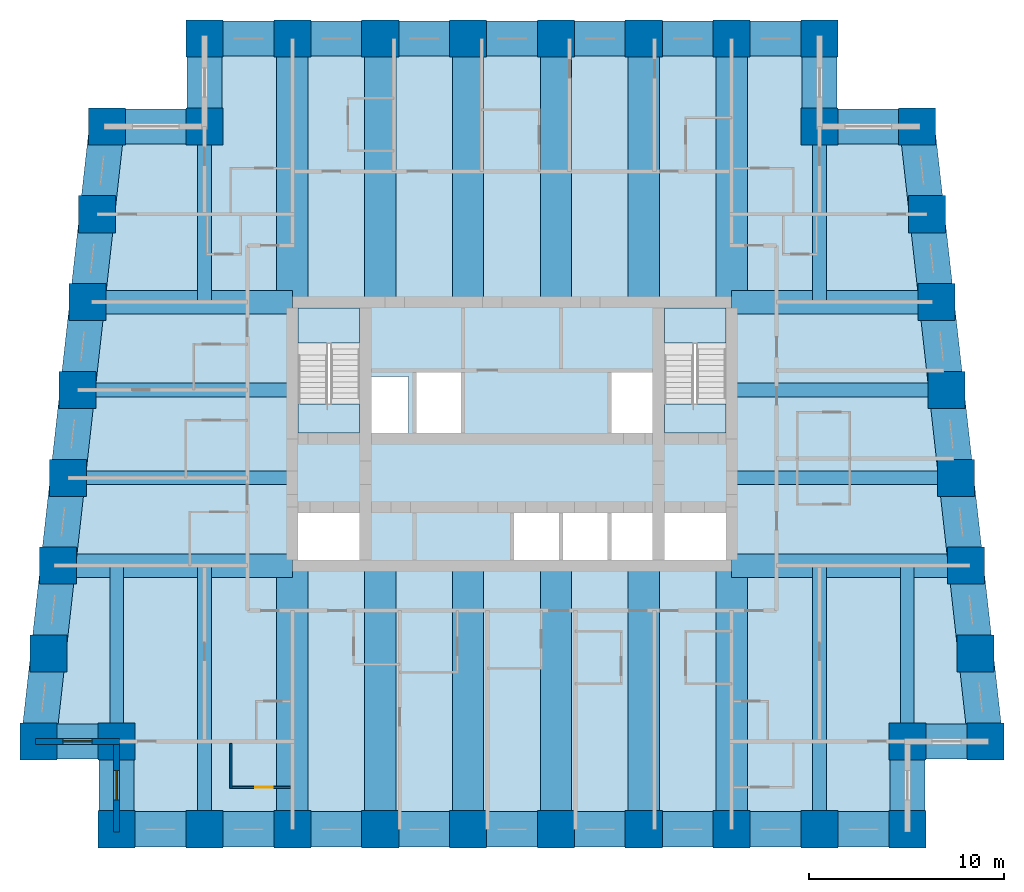
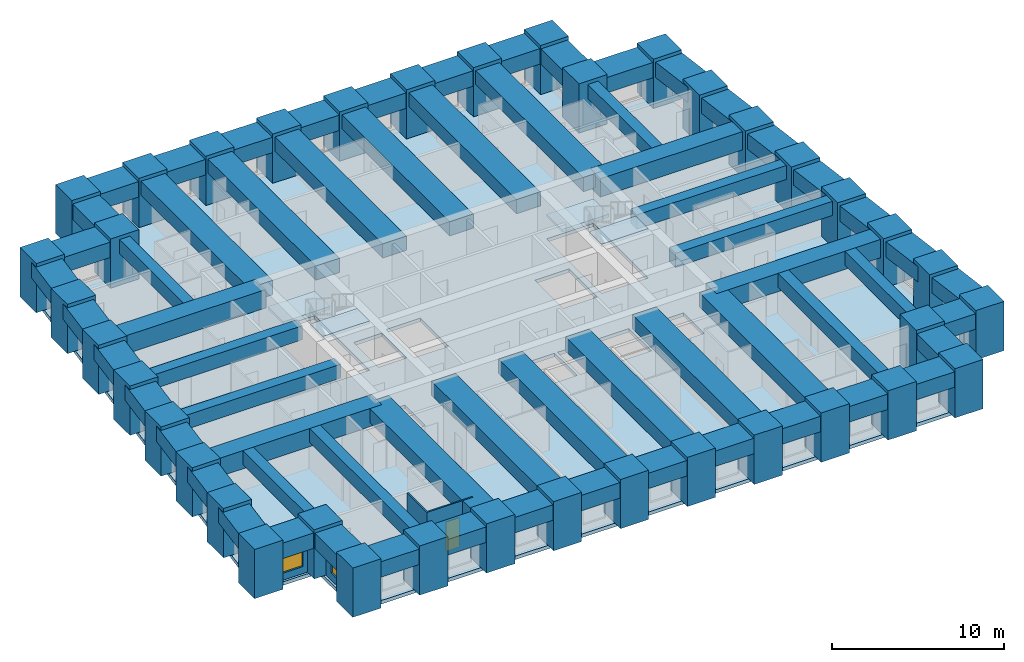
# One storey, part 1 of 8: 64 beams, 38 columns, 5 slabs, 4 walls, 2 windows, 1 door, 3 openings, 2 elements without a shape of their own.
"""IFC4 building model written with IfcOpenShell, lengths in metres."""

from ifc_helpers import new_model, si_unit, direction, frame, frame_2d, origin, origin_2d, place, context, subcontext, project, spatial, polyline, rectangle, outline, extrude, material, layer, layer_set, material_profile, profile_set, type_object, element, fill, aggregate, save


model = new_model("IFC4")

# Units and contexts
model_context = context("Model", 3, precision=1e-05, world=origin(), true_north=direction((0.0, 1.0)))
body_context = subcontext(model_context, "Body", "Model", "MODEL_VIEW")
ifc_project = project(units=[si_unit("LENGTHUNIT", "METRE"), si_unit("AREAUNIT", "SQUARE_METRE"), si_unit("VOLUMEUNIT", "CUBIC_METRE"), si_unit("PLANEANGLEUNIT", "RADIAN"), si_unit("MASSUNIT", "GRAM", prefix="KILO")], contexts=[model_context])

# Site, building, storey
site_placement = place(None, origin())
site = spatial("IfcSite", under=ifc_project, at=site_placement, CompositionType="ELEMENT")
building_placement = place(site_placement, origin())
building = spatial("IfcBuilding", under=site, at=building_placement, Name="Kilele Tower Hotel", CompositionType="ELEMENT")
storey_placement = place(building_placement, frame((0.0, 0.0, 121.39990234375)))
storey = spatial("IfcBuildingStorey", under=building, at=storey_placement, Name="L31", CompositionType="ELEMENT", Elevation=121.39990234375)

# Columns
ifc_material_1 = material(Name="Concrete C70/85", Category="concrete")
ifc_material_profile_1 = material_profile(ifc_material_1, rectangle(XDim=1.89990234375, YDim=1.89990234375, at=origin_2d()))
ifc_profile_set_1 = profile_set([ifc_material_profile_1], Name="Concrete C70/85")
column_type = type_object("IfcColumnType", Name="Tube column RC 1900x1900 C70/85", PredefinedType="COLUMN", material=ifc_profile_set_1)
for number, where, z_axis, x_axis, name in (
    (1, (0.5, 4.5, 0.0), (0.0, 0.0, 1.0), (1.0, 0.0, 0.0), "Column TC2 L31"),
    (2, (4.5, 4.5, 0.0), (0.0, 0.0, 1.0), (1.0, 0.0, 0.0), "Column TC2 L31"),
    (3, (4.5, 0.0, 0.0), (0.0, 0.0, 1.0), (1.0, 0.0, 0.0), "Column TC2 L31"),
    (4, (9.0, 0.0, 0.0), (0.0, 0.0, 1.0), (1.0, 0.0, 0.0), "Column TC2 L31"),
    (5, (13.5, 0.0, 0.0), (0.0, 0.0, 1.0), (1.0, 0.0, 0.0), "Column TC2 L31"),
    (6, (18.0, 0.0, 0.0), (0.0, 0.0, 1.0), (1.0, 0.0, 0.0), "Column TC2 L31"),
    (7, (22.5, 0.0, 0.0), (0.0, 0.0, 1.0), (1.0, 0.0, 0.0), "Column TC2 L31"),
    (8, (27.0, 0.0, 0.0), (0.0, 0.0, 1.0), (1.0, 0.0, 0.0), "Column TC2 L31"),
    (9, (31.5, 0.0, 0.0), (0.0, 0.0, 1.0), (1.0, 0.0, 0.0), "Column TC2 L31"),
    (10, (36.0, 0.0, 0.0), (0.0, 0.0, 1.0), (1.0, 0.0, 0.0), "Column TC2 L31"),
    (11, (40.5, 0.0, 0.0), (0.0, 0.0, 1.0), (1.0, 0.0, 0.0), "Column TC2 L31"),
    (12, (45.0, 0.0, 0.0), (0.0, 0.0, 1.0), (1.0, 0.0, 0.0), "Column TC2 L31"),
    (13, (45.0, 4.5, 0.0), (0.0, 0.0, 1.0), (1.0, 0.0, 0.0), "Column TC2 L31"),
    (14, (49.0, 4.5, 0.0), (0.0, 0.0, 1.0), (1.0, 0.0, 0.0), "Column TC2 L31"),
    (15, (48.5, 9.0, 0.0), (0.0, 0.0, 1.0), (1.0, 0.0, 0.0), "Column TC2 L31"),
    (16, (48.0, 13.5, 0.0), (0.0, 0.0, 1.0), (1.0, 0.0, 0.0), "Column TC2 L31"),
    (17, (47.5, 18.0, 0.0), (0.0, 0.0, 1.0), (1.0, 0.0, 0.0), "Column TC2 L31"),
    (18, (47.0, 22.5, 0.0), (0.0, 0.0, 1.0), (1.0, 0.0, 0.0), "Column TC2 L31"),
    (19, (46.5, 27.0, 0.0), (0.0, 0.0, 1.0), (1.0, 0.0, 0.0), "Column TC2 L31"),
    (20, (46.0, 31.5, 0.0), (0.0, 0.0, 1.0), (1.0, 0.0, 0.0), "Column TC2 L31"),
    (21, (45.5, 36.0, 0.0), (0.0, 0.0, 1.0), (1.0, 0.0, 0.0), "Column TC2 L31"),
    (22, (40.5, 36.0, 0.0), (0.0, 0.0, 1.0), (1.0, 0.0, 0.0), "Column TC2 L31"),
    (23, (40.5, 40.5, 0.0), (0.0, 0.0, 1.0), (1.0, 0.0, 0.0), "Column TC2 L31"),
    (24, (36.0, 40.5, 0.0), (0.0, 0.0, 1.0), (1.0, 0.0, 0.0), "Column TC2 L31"),
    (25, (31.5, 40.5, 0.0), (0.0, 0.0, 1.0), (1.0, 0.0, 0.0), "Column TC2 L31"),
    (26, (27.0, 40.5, 0.0), (0.0, 0.0, 1.0), (1.0, 0.0, 0.0), "Column TC2 L31"),
    (27, (22.5, 40.5, 0.0), (0.0, 0.0, 1.0), (1.0, 0.0, 0.0), "Column TC2 L31"),
    (28, (18.0, 40.5, 0.0), (0.0, 0.0, 1.0), (1.0, 0.0, 0.0), "Column TC2 L31"),
    (29, (13.5, 40.5, 0.0), (0.0, 0.0, 1.0), (1.0, 0.0, 0.0), "Column TC2 L31"),
    (30, (9.0, 40.5, 0.0), (0.0, 0.0, 1.0), (1.0, 0.0, 0.0), "Column TC2 L31"),
    (31, (9.0, 36.0, 0.0), (0.0, 0.0, 1.0), (1.0, 0.0, 0.0), "Column TC2 L31"),
    (32, (4.0, 36.0, 0.0), (0.0, 0.0, 1.0), (1.0, 0.0, 0.0), "Column TC2 L31"),
    (33, (3.5, 31.5, 0.0), (0.0, 0.0, 1.0), (1.0, 0.0, 0.0), "Column TC2 L31"),
    (34, (3.0, 27.0, 0.0), (0.0, 0.0, 1.0), (1.0, 0.0, 0.0), "Column TC2 L31"),
    (35, (2.5, 22.5, 0.0), (0.0, 0.0, 1.0), (1.0, 0.0, 0.0), "Column TC2 L31"),
    (36, (2.0, 18.0, 0.0), (0.0, 0.0, 1.0), (1.0, 0.0, 0.0), "Column TC2 L31"),
    (37, (1.5, 13.5, 0.0), (0.0, 0.0, 1.0), (1.0, 0.0, 0.0), "Column TC2 L31"),
    (38, (1.0, 9.0, 0.0), (0.0, 0.0, 1.0), (1.0, 0.0, 0.0), "Column TC2 L31"),
):
    element("IfcColumn", number, at=place(storey_placement, frame(where, z_axis=z_axis, x_axis=x_axis)), inside=storey, type_object=column_type, Name=name, PredefinedType="COLUMN", context=body_context, shape_type="SweptSolid", body=[
        extrude(rectangle(XDim=1.89990234375, YDim=1.89990234375, at=origin_2d()), origin(), (0.0, 0.0, 1.0), 3.5),
    ])

# Beams
ifc_material_2 = material(Name="Concrete C60/75", Category="concrete")
ifc_material_profile_2 = material_profile(ifc_material_2, rectangle(XDim=1.60009765625, YDim=1.0, at=origin_2d()))
ifc_profile_set_2 = profile_set([ifc_material_profile_2], Name="Concrete C60/75")
beam_type_1 = type_object("IfcBeamType", Name="Beam RC 1600x1000 C60/75", PredefinedType="BEAM", material=ifc_profile_set_2)
for number, where, z_axis, x_axis, name in (
    (39, (13.5, 0.0, 2.75), (0.0, 1.0, 0.0), (-1.0, 0.0, 0.0), "Beam BC1 level L32"),
    (40, (18.0, 0.0, 2.75), (0.0, 1.0, 0.0), (-1.0, 0.0, 0.0), "Beam BC1 level L32"),
    (41, (22.5, 0.0, 2.75), (0.0, 1.0, 0.0), (-1.0, 0.0, 0.0), "Beam BC1 level L32"),
    (42, (27.0, 0.0, 2.75), (0.0, 1.0, 0.0), (-1.0, 0.0, 0.0), "Beam BC1 level L32"),
    (43, (31.5, 0.0, 2.75), (0.0, 1.0, 0.0), (-1.0, 0.0, 0.0), "Beam BC1 level L32"),
    (44, (36.0, 0.0, 2.75), (0.0, 1.0, 0.0), (-1.0, 0.0, 0.0), "Beam BC1 level L32"),
    (45, (36.0, 40.5, 2.75), (0.0, -1.0, 0.0), (1.0, 0.0, 0.0), "Beam BC1 level L32"),
    (46, (31.5, 40.5, 2.75), (0.0, -1.0, 0.0), (1.0, 0.0, 0.0), "Beam BC1 level L32"),
    (47, (27.0, 40.5, 2.75), (0.0, -1.0, 0.0), (1.0, 0.0, 0.0), "Beam BC1 level L32"),
    (48, (22.5, 40.5, 2.75), (0.0, -1.0, 0.0), (1.0, 0.0, 0.0), "Beam BC1 level L32"),
    (49, (18.0, 40.5, 2.75), (0.0, -1.0, 0.0), (1.0, 0.0, 0.0), "Beam BC1 level L32"),
    (50, (13.5, 40.5, 2.75), (0.0, -1.0, 0.0), (1.0, 0.0, 0.0), "Beam BC1 level L32"),
):
    element("IfcBeam", number, at=place(storey_placement, frame(where, z_axis=z_axis, x_axis=x_axis)), inside=storey, type_object=beam_type_1, Name=name, PredefinedType="BEAM", context=body_context, shape_type="SweptSolid", body=[
        extrude(rectangle(XDim=1.60009765625, YDim=1.0, at=origin_2d()), origin(), (0.0, 0.0, 1.0), 13.5),
    ])
ifc_material_3 = material(Name="Concrete C60/75", Category="concrete")
ifc_material_profile_3 = material_profile(ifc_material_3, rectangle(XDim=0.699951171875, YDim=1.0, at=origin_2d()))
ifc_profile_set_3 = profile_set([ifc_material_profile_3], Name="Concrete C60/75")
beam_type_2 = type_object("IfcBeamType", Name="Beam RC 700x1000 C60/75", PredefinedType="BEAM", material=ifc_profile_set_3)
for number, where, z_axis, x_axis, name in (
    (51, (9.0, 0.0, 2.75), (0.0, 1.0, 0.0), (-1.0, 0.0, 0.0), "Beam B4 level L32"),
    (52, (40.5, 0.0, 2.75), (0.0, 1.0, 0.0), (-1.0, 0.0, 0.0), "Beam B4 level L32"),
):
    element("IfcBeam", number, at=place(storey_placement, frame(where, z_axis=z_axis, x_axis=x_axis)), inside=storey, type_object=beam_type_2, Name=name, PredefinedType="BEAM", context=body_context, shape_type="SweptSolid", body=[
        extrude(rectangle(XDim=0.699951171875, YDim=1.0, at=origin_2d()), origin(), (0.0, 0.0, 1.0), 13.5),
    ])
ifc_material_4 = material(Name="Concrete C60/75", Category="concrete")
ifc_material_profile_4 = material_profile(ifc_material_4, rectangle(XDim=0.699951171875, YDim=1.0, at=origin_2d()))
ifc_profile_set_4 = profile_set([ifc_material_profile_4], Name="Concrete C60/75")
beam_type_3 = type_object("IfcBeamType", Name="Beam RC 700x1000 C60/75 mid span", PredefinedType="BEAM", material=ifc_profile_set_4)
for number, where, z_axis, x_axis, name in (
    (53, (4.5, 4.5, 2.75), (0.0, 1.0, 0.0), (-1.0, 0.0, 0.0), "Beam B5 level L32"),
    (54, (45.0, 4.5, 2.75), (0.0, 1.0, 0.0), (-1.0, 0.0, 0.0), "Beam B5 level L32"),
):
    element("IfcBeam", number, at=place(storey_placement, frame(where, z_axis=z_axis, x_axis=x_axis)), inside=storey, type_object=beam_type_3, Name=name, PredefinedType="BEAM", context=body_context, shape_type="SweptSolid", body=[
        extrude(rectangle(XDim=0.699951171875, YDim=1.0, at=origin_2d()), origin(), (0.0, 0.0, 1.0), 9.0),
    ])
beam_1_placement = place(storey_placement, frame((47.5, 18.0, 2.75), z_axis=(-1.0, 0.0, 0.0), x_axis=(0.0, -1.0, 0.0)))
element("IfcBeam", 55, at=beam_1_placement, inside=storey, type_object=beam_type_3, Name="Beam B5 level L32", PredefinedType="BEAM", context=body_context, shape_type="SweptSolid", body=[
    extrude(rectangle(XDim=0.699951171875, YDim=1.0, at=origin_2d()), origin(), (0.0, 0.0, 1.0), 11.5),
])
beam_2_placement = place(storey_placement, frame((47.0, 22.5, 2.75), z_axis=(-1.0, 0.0, 0.0), x_axis=(0.0, -1.0, 0.0)))
element("IfcBeam", 56, at=beam_2_placement, inside=storey, type_object=beam_type_3, Name="Beam B5 level L32", PredefinedType="BEAM", context=body_context, shape_type="SweptSolid", body=[
    extrude(rectangle(XDim=0.699951171875, YDim=1.0, at=origin_2d()), origin(), (0.0, 0.0, 1.0), 11.0),
])
for number, where, z_axis, x_axis, name in (
    (57, (40.5, 36.0, 2.75), (0.0, -1.0, 0.0), (1.0, 0.0, 0.0), "Beam B5 level L32"),
    (58, (9.0, 36.0, 2.75), (0.0, -1.0, 0.0), (1.0, 0.0, 0.0), "Beam B5 level L32"),
):
    element("IfcBeam", number, at=place(storey_placement, frame(where, z_axis=z_axis, x_axis=x_axis)), inside=storey, type_object=beam_type_3, Name=name, PredefinedType="BEAM", context=body_context, shape_type="SweptSolid", body=[
        extrude(rectangle(XDim=0.699951171875, YDim=1.0, at=origin_2d()), origin(), (0.0, 0.0, 1.0), 9.0),
    ])
beam_3_placement = place(storey_placement, frame((2.5, 22.5, 2.75), z_axis=(1.0, 0.0, 0.0), x_axis=(0.0, 1.0, 0.0)))
element("IfcBeam", 59, at=beam_3_placement, inside=storey, type_object=beam_type_3, Name="Beam B5 level L32", PredefinedType="BEAM", context=body_context, shape_type="SweptSolid", body=[
    extrude(rectangle(XDim=0.699951171875, YDim=1.0, at=origin_2d()), origin(), (0.0, 0.0, 1.0), 11.0),
])
beam_4_placement = place(storey_placement, frame((2.0, 18.0, 2.75), z_axis=(1.0, 0.0, 0.0), x_axis=(0.0, 1.0, 0.0)))
element("IfcBeam", 60, at=beam_4_placement, inside=storey, type_object=beam_type_3, Name="Beam B5 level L32", PredefinedType="BEAM", context=body_context, shape_type="SweptSolid", body=[
    extrude(rectangle(XDim=0.699951171875, YDim=1.0, at=origin_2d()), origin(), (0.0, 0.0, 1.0), 11.5),
])
ifc_material_5 = material(Name="Concrete C60/75", Category="concrete")
ifc_material_profile_5 = material_profile(ifc_material_5, rectangle(XDim=1.199951171875, YDim=1.300048828125, at=origin_2d()))
ifc_profile_set_5 = profile_set([ifc_material_profile_5], Name="Concrete C60/75")
beam_type_4 = type_object("IfcBeamType", Name="Girder RC 1200x1300 C60/75", PredefinedType="BEAM", material=ifc_profile_set_5)
for number, where, z_axis, x_axis, name in (
    (61, (48.0, 13.5, 2.60009765625), (-1.0, 0.0, 0.0), (0.0, -1.0, 0.0), "Girder G1 level L32"),
    (62, (1.5, 13.5, 2.60009765625), (1.0, 0.0, 0.0), (0.0, 1.0, 0.0), "Girder G1 level L32"),
):
    element("IfcBeam", number, at=place(storey_placement, frame(where, z_axis=z_axis, x_axis=x_axis)), inside=storey, type_object=beam_type_4, Name=name, PredefinedType="BEAM", context=body_context, shape_type="SweptSolid", body=[
        extrude(rectangle(XDim=1.199951171875, YDim=1.300048828125, at=origin_2d()), origin(), (0.0, 0.0, 1.0), 12.0),
    ])
ifc_material_6 = material(Name="Concrete C60/75", Category="concrete")
ifc_material_profile_6 = material_profile(ifc_material_6, rectangle(XDim=1.199951171875, YDim=1.300048828125, at=origin_2d()))
ifc_profile_set_6 = profile_set([ifc_material_profile_6], Name="Concrete C60/75")
beam_type_5 = type_object("IfcBeamType", Name="Girder RC 1200x1300 C60/75 mid span", PredefinedType="BEAM", material=ifc_profile_set_6)
for number, where, z_axis, x_axis, name in (
    (63, (46.5, 27.0, 2.60009765625), (-1.0, 0.0, 0.0), (0.0, -1.0, 0.0), "Girder G3 level L32"),
    (64, (3.0, 27.0, 2.60009765625), (1.0, 0.0, 0.0), (0.0, 1.0, 0.0), "Girder G3 level L32"),
):
    element("IfcBeam", number, at=place(storey_placement, frame(where, z_axis=z_axis, x_axis=x_axis)), inside=storey, type_object=beam_type_5, Name=name, PredefinedType="BEAM", context=body_context, shape_type="SweptSolid", body=[
        extrude(rectangle(XDim=1.199951171875, YDim=1.300048828125, at=origin_2d()), origin(), (0.0, 0.0, 1.0), 10.5),
    ])
ifc_material_7 = material(Name="Concrete C60/75", Category="concrete")
ifc_material_profile_7 = material_profile(ifc_material_7, rectangle(XDim=1.800048828125, YDim=1.10009765625, at=origin_2d()))
ifc_profile_set_7 = profile_set([ifc_material_profile_7], Name="Concrete C60/75")
beam_type_6 = type_object("IfcBeamType", Name="Spandrel RC 1800x1100 C60/75", PredefinedType="SPANDREL", material=ifc_profile_set_7)
beam_5_placement = place(storey_placement, frame((0.5, 4.5, 2.7001953125), z_axis=(1.0, 0.0, 0.0), x_axis=(0.0, 1.0, 0.0)))
element("IfcBeam", 65, at=beam_5_placement, inside=storey, type_object=beam_type_6, Name="Spandrel SP4 level L32", PredefinedType="SPANDREL", context=body_context, shape_type="SweptSolid", body=[
    extrude(rectangle(XDim=1.800048828125, YDim=1.10009765625, at=origin_2d()), origin(), (0.0, 0.0, 1.0), 4.0),
])
for number, where, z_axis, x_axis, name in (
    (66, (4.5, 4.5, 2.7001953125), (0.0, -1.0, 0.0), (1.0, 0.0, 0.0), "Spandrel SP4 level L32"),
    (67, (4.5, 0.0, 2.7001953125), (1.0, 0.0, 0.0), (0.0, 1.0, 0.0), "Spandrel SP4 level L32"),
    (68, (9.0, 0.0, 2.7001953125), (1.0, 0.0, 0.0), (0.0, 1.0, 0.0), "Spandrel SP4 level L32"),
    (69, (13.5, 0.0, 2.7001953125), (1.0, 0.0, 0.0), (0.0, 1.0, 0.0), "Spandrel SP4 level L32"),
    (70, (18.0, 0.0, 2.7001953125), (1.0, 0.0, 0.0), (0.0, 1.0, 0.0), "Spandrel SP4 level L32"),
    (71, (22.5, 0.0, 2.7001953125), (1.0, 0.0, 0.0), (0.0, 1.0, 0.0), "Spandrel SP4 level L32"),
    (72, (27.0, 0.0, 2.7001953125), (1.0, 0.0, 0.0), (0.0, 1.0, 0.0), "Spandrel SP4 level L32"),
    (73, (31.5, 0.0, 2.7001953125), (1.0, 0.0, 0.0), (0.0, 1.0, 0.0), "Spandrel SP4 level L32"),
    (74, (36.0, 0.0, 2.7001953125), (1.0, 0.0, 0.0), (0.0, 1.0, 0.0), "Spandrel SP4 level L32"),
    (75, (40.5, 0.0, 2.7001953125), (1.0, 0.0, 0.0), (0.0, 1.0, 0.0), "Spandrel SP4 level L32"),
    (76, (45.0, 0.0, 2.7001953125), (0.0, 1.0, 0.0), (-1.0, 0.0, 0.0), "Spandrel SP4 level L32"),
):
    element("IfcBeam", number, at=place(storey_placement, frame(where, z_axis=z_axis, x_axis=x_axis)), inside=storey, type_object=beam_type_6, Name=name, PredefinedType="SPANDREL", context=body_context, shape_type="SweptSolid", body=[
        extrude(rectangle(XDim=1.800048828125, YDim=1.10009765625, at=origin_2d()), origin(), (0.0, 0.0, 1.0), 4.5),
    ])
beam_6_placement = place(storey_placement, frame((45.0, 4.5, 2.7001953125), z_axis=(1.0, 0.0, 0.0), x_axis=(0.0, 1.0, 0.0)))
element("IfcBeam", 77, at=beam_6_placement, inside=storey, type_object=beam_type_6, Name="Spandrel SP4 level L32", PredefinedType="SPANDREL", context=body_context, shape_type="SweptSolid", body=[
    extrude(rectangle(XDim=1.800048828125, YDim=1.10009765625, at=origin_2d()), origin(), (0.0, 0.0, 1.0), 4.0),
])
for number, where, z_axis, x_axis, name in (
    (78, (49.0, 4.5, 2.7001953125), (-0.110431526075, 0.993883734674, 0.0), (-0.993883734674, -0.110431526075, 0.0), "Spandrel SP4 level L32"),
    (79, (48.5, 9.0, 2.7001953125), (-0.110431526075, 0.993883734674, 0.0), (-0.993883734674, -0.110431526075, 0.0), "Spandrel SP4 level L32"),
    (80, (48.0, 13.5, 2.7001953125), (-0.110431526075, 0.993883734674, 0.0), (-0.993883734674, -0.110431526075, 0.0), "Spandrel SP4 level L32"),
    (81, (47.5, 18.0, 2.7001953125), (-0.110431526075, 0.993883734674, 0.0), (-0.993883734674, -0.110431526075, 0.0), "Spandrel SP4 level L32"),
    (82, (47.0, 22.5, 2.7001953125), (-0.110431526075, 0.993883734674, 0.0), (-0.993883734674, -0.110431526075, 0.0), "Spandrel SP4 level L32"),
    (83, (46.5, 27.0, 2.7001953125), (-0.110431526075, 0.993883734674, 0.0), (-0.993883734674, -0.110431526075, 0.0), "Spandrel SP4 level L32"),
    (84, (46.0, 31.5, 2.7001953125), (-0.110431526075, 0.993883734674, 0.0), (-0.993883734674, -0.110431526075, 0.0), "Spandrel SP4 level L32"),
):
    element("IfcBeam", number, at=place(storey_placement, frame(where, z_axis=z_axis, x_axis=x_axis)), inside=storey, type_object=beam_type_6, Name=name, PredefinedType="SPANDREL", context=body_context, shape_type="SweptSolid", body=[
        extrude(rectangle(XDim=1.800048828125, YDim=1.10009765625, at=origin_2d()), origin(), (0.0, 0.0, 1.0), 4.527587890625),
    ])
beam_7_placement = place(storey_placement, frame((45.5, 36.0, 2.7001953125), z_axis=(-1.0, 0.0, 0.0), x_axis=(0.0, -1.0, 0.0)))
element("IfcBeam", 85, at=beam_7_placement, inside=storey, type_object=beam_type_6, Name="Spandrel SP4 level L32", PredefinedType="SPANDREL", context=body_context, shape_type="SweptSolid", body=[
    extrude(rectangle(XDim=1.800048828125, YDim=1.10009765625, at=origin_2d()), origin(), (0.0, 0.0, 1.0), 5.0),
])
for number, where, z_axis, x_axis, name in (
    (86, (40.5, 36.0, 2.7001953125), (0.0, 1.0, 0.0), (-1.0, 0.0, 0.0), "Spandrel SP4 level L32"),
    (87, (40.5, 40.5, 2.7001953125), (-1.0, 0.0, 0.0), (0.0, -1.0, 0.0), "Spandrel SP4 level L32"),
    (88, (36.0, 40.5, 2.7001953125), (-1.0, 0.0, 0.0), (0.0, -1.0, 0.0), "Spandrel SP4 level L32"),
    (89, (31.5, 40.5, 2.7001953125), (-1.0, 0.0, 0.0), (0.0, -1.0, 0.0), "Spandrel SP4 level L32"),
    (90, (27.0, 40.5, 2.7001953125), (-1.0, 0.0, 0.0), (0.0, -1.0, 0.0), "Spandrel SP4 level L32"),
    (91, (22.5, 40.5, 2.7001953125), (-1.0, 0.0, 0.0), (0.0, -1.0, 0.0), "Spandrel SP4 level L32"),
    (92, (18.0, 40.5, 2.7001953125), (-1.0, 0.0, 0.0), (0.0, -1.0, 0.0), "Spandrel SP4 level L32"),
    (93, (13.5, 40.5, 2.7001953125), (-1.0, 0.0, 0.0), (0.0, -1.0, 0.0), "Spandrel SP4 level L32"),
    (94, (9.0, 40.5, 2.7001953125), (0.0, -1.0, 0.0), (1.0, 0.0, 0.0), "Spandrel SP4 level L32"),
):
    element("IfcBeam", number, at=place(storey_placement, frame(where, z_axis=z_axis, x_axis=x_axis)), inside=storey, type_object=beam_type_6, Name=name, PredefinedType="SPANDREL", context=body_context, shape_type="SweptSolid", body=[
        extrude(rectangle(XDim=1.800048828125, YDim=1.10009765625, at=origin_2d()), origin(), (0.0, 0.0, 1.0), 4.5),
    ])
beam_8_placement = place(storey_placement, frame((9.0, 36.0, 2.7001953125), z_axis=(-1.0, 0.0, 0.0), x_axis=(0.0, -1.0, 0.0)))
element("IfcBeam", 95, at=beam_8_placement, inside=storey, type_object=beam_type_6, Name="Spandrel SP4 level L32", PredefinedType="SPANDREL", context=body_context, shape_type="SweptSolid", body=[
    extrude(rectangle(XDim=1.800048828125, YDim=1.10009765625, at=origin_2d()), origin(), (0.0, 0.0, 1.0), 5.0),
])
for number, where, z_axis, x_axis, name in (
    (96, (4.0, 36.0, 2.7001953125), (-0.110431526075, -0.993883734674, 0.0), (0.993883734674, -0.110431526075, 0.0), "Spandrel SP4 level L32"),
    (97, (3.5, 31.5, 2.7001953125), (-0.110431526075, -0.993883734674, 0.0), (0.993883734674, -0.110431526075, 0.0), "Spandrel SP4 level L32"),
    (98, (3.0, 27.0, 2.7001953125), (-0.110431526075, -0.993883734674, 0.0), (0.993883734674, -0.110431526075, 0.0), "Spandrel SP4 level L32"),
    (99, (2.5, 22.5, 2.7001953125), (-0.110431526075, -0.993883734674, 0.0), (0.993883734674, -0.110431526075, 0.0), "Spandrel SP4 level L32"),
    (100, (2.0, 18.0, 2.7001953125), (-0.110431526075, -0.993883734674, 0.0), (0.993883734674, -0.110431526075, 0.0), "Spandrel SP4 level L32"),
    (101, (1.5, 13.5, 2.7001953125), (-0.110431526075, -0.993883734674, 0.0), (0.993883734674, -0.110431526075, 0.0), "Spandrel SP4 level L32"),
    (102, (1.0, 9.0, 2.7001953125), (-0.110431526075, -0.993883734674, 0.0), (0.993883734674, -0.110431526075, 0.0), "Spandrel SP4 level L32"),
):
    element("IfcBeam", number, at=place(storey_placement, frame(where, z_axis=z_axis, x_axis=x_axis)), inside=storey, type_object=beam_type_6, Name=name, PredefinedType="SPANDREL", context=body_context, shape_type="SweptSolid", body=[
        extrude(rectangle(XDim=1.800048828125, YDim=1.10009765625, at=origin_2d()), origin(), (0.0, 0.0, 1.0), 4.527587890625),
    ])

# Slab
ifc_material_8 = material(Name="Concrete C60/75", Category="concrete")
ifc_layer_1 = layer(ifc_material_8, 0.25)
ifc_layer_set_1 = layer_set([ifc_layer_1], Name="Concrete C60/75")
slab_type_1 = type_object("IfcSlabType", Name="Floor slab 250", PredefinedType="FLOOR", material=ifc_layer_set_1)
slab_1_placement = place(storey_placement, frame((0.0, 0.0, -0.25)))
element("IfcSlab", 103, at=slab_1_placement, inside=storey, type_object=slab_type_1, Name="Floor slab L31", PredefinedType="FLOOR", context=body_context, shape_type="SweptSolid", body=[
    extrude(outline(polyline([(8.699951171875, 36.300048828125), (8.699951171875, 40.800048828125), (40.800048828125, 40.800048828125), (40.800048828125, 36.300048828125), (45.7685546875, 36.300048828125), (49.335205078125, 4.199951171875), (45.300048828125, 4.199951171875), (45.300048828125, -0.300048828125), (4.199951171875, -0.300048828125), (4.199951171875, 4.199951171875), (0.164794921875, 4.199951171875), (3.7314453125, 36.300048828125), (8.699951171875, 36.300048828125)]), holes=[polyline([(16.949951171875, 16.199951171875), (13.800048828125, 16.199951171875), (13.800048828125, 13.800048828125), (16.949951171875, 13.800048828125), (16.949951171875, 16.199951171875)]), polyline([(35.699951171875, 16.199951171875), (32.550048828125, 16.199951171875), (32.550048828125, 13.800048828125), (35.699951171875, 13.800048828125), (35.699951171875, 16.199951171875)]), polyline([(27.14990234375, 16.39990234375), (24.85009765625, 16.39990234375), (24.85009765625, 13.800048828125), (27.14990234375, 13.800048828125), (27.14990234375, 16.39990234375)]), polyline([(29.64990234375, 13.800048828125), (29.64990234375, 16.39990234375), (27.35009765625, 16.39990234375), (27.35009765625, 13.800048828125), (29.64990234375, 13.800048828125)]), polyline([(32.14990234375, 13.800048828125), (32.14990234375, 16.39990234375), (29.85009765625, 16.39990234375), (29.85009765625, 13.800048828125), (32.14990234375, 13.800048828125)]), polyline([(19.449951171875, 23.199951171875), (17.550048828125, 23.199951171875), (17.550048828125, 20.300048828125), (19.449951171875, 20.300048828125), (19.449951171875, 23.199951171875)]), polyline([(22.14990234375, 23.39990234375), (19.85009765625, 23.39990234375), (19.85009765625, 20.10009765625), (22.14990234375, 20.10009765625), (22.14990234375, 23.39990234375)]), polyline([(32.14990234375, 23.39990234375), (29.85009765625, 23.39990234375), (29.85009765625, 20.10009765625), (32.14990234375, 20.10009765625), (32.14990234375, 23.39990234375)]), polyline([(16.949951171875, 20.300048828125), (16.949951171875, 26.699951171875), (13.800048828125, 26.699951171875), (13.800048828125, 20.300048828125), (16.949951171875, 20.300048828125)]), polyline([(35.699951171875, 20.300048828125), (35.699951171875, 26.699951171875), (32.550048828125, 26.699951171875), (32.550048828125, 20.300048828125), (35.699951171875, 20.300048828125)])]), origin(), (0.0, 0.0, 1.0), 0.25),
])

# Stair, slabs
ifc_material_9 = material(Name="Precast concrete C40/50", Category="concrete")
stair_type = type_object("IfcStairType", Name="Stair 1475 x 3500", PredefinedType="HALF_TURN_STAIR", material=ifc_material_9)
stair_1_placement = place(storey_placement, origin())
stair_1 = element("IfcStair", 104, at=stair_1_placement, inside=storey, type_object=stair_type, Name="Stair 1 L31", PredefinedType="HALF_TURN_STAIR")
ifc_material_10 = material(Name="Precast concrete C40/50", Category="concrete")
ifc_layer_2 = layer(ifc_material_10, 0.199951171875)
ifc_layer_set_2 = layer_set([ifc_layer_2], Name="Precast concrete C40/50")
slab_type_2 = type_object("IfcSlabType", Name="Stair landing 200", PredefinedType="LANDING", material=ifc_layer_set_2)
slab_2_placement = place(storey_placement, frame((0.0, 0.0, 1.550048828125)))
slab_2 = element("IfcSlab", 105, at=slab_2_placement, type_object=slab_type_2, Name="ST1 landing 1", PredefinedType="LANDING", context=body_context, shape_type="SweptSolid", body=[
    extrude(outline(polyline([(13.800048828125, 24.89501953125), (16.949951171875, 24.89501953125), (16.949951171875, 26.699951171875), (13.800048828125, 26.699951171875), (13.800048828125, 24.89501953125)])), origin(), (0.0, 0.0, 1.0), 0.199951171875),
])
slab_3_placement = place(storey_placement, frame((0.0, 0.0, 3.300048828125)))
slab_3 = element("IfcSlab", 106, at=slab_3_placement, type_object=slab_type_2, Name="ST1 landing 2", PredefinedType="LANDING", context=body_context, shape_type="SweptSolid", body=[
    extrude(outline(polyline([(13.800048828125, 20.300048828125), (16.949951171875, 20.300048828125), (16.949951171875, 21.77490234375), (13.800048828125, 21.77490234375), (13.800048828125, 20.300048828125)])), origin(), (0.0, 0.0, 1.0), 0.199951171875),
])
aggregate(stair_1, [slab_2, slab_3])

stair_2_placement = place(storey_placement, origin())
stair_2 = element("IfcStair", 107, at=stair_2_placement, inside=storey, type_object=stair_type, Name="Stair 2 L31", PredefinedType="HALF_TURN_STAIR")
slab_4_placement = place(storey_placement, frame((0.0, 0.0, 1.550048828125)))
slab_4 = element("IfcSlab", 108, at=slab_4_placement, type_object=slab_type_2, Name="ST2 landing 1", PredefinedType="LANDING", context=body_context, shape_type="SweptSolid", body=[
    extrude(outline(polyline([(32.550048828125, 24.89501953125), (35.699951171875, 24.89501953125), (35.699951171875, 26.699951171875), (32.550048828125, 26.699951171875), (32.550048828125, 24.89501953125)])), origin(), (0.0, 0.0, 1.0), 0.199951171875),
])
slab_5_placement = place(storey_placement, frame((0.0, 0.0, 3.300048828125)))
slab_5 = element("IfcSlab", 109, at=slab_5_placement, type_object=slab_type_2, Name="ST2 landing 2", PredefinedType="LANDING", context=body_context, shape_type="SweptSolid", body=[
    extrude(outline(polyline([(32.550048828125, 20.300048828125), (35.699951171875, 20.300048828125), (35.699951171875, 21.77490234375), (32.550048828125, 21.77490234375), (32.550048828125, 20.300048828125)])), origin(), (0.0, 0.0, 1.0), 0.199951171875),
])
aggregate(stair_2, [slab_4, slab_5])

# Wall
ifc_material_11 = material(Name="Moisture-resistant board")
ifc_layer_3 = layer(ifc_material_11, 0.10009765625)
ifc_layer_set_3 = layer_set([ifc_layer_3], Name="Moisture-resistant board")
wall_type_1 = type_object("IfcWallType", Name="Bathroom partition 100", PredefinedType="PLUMBINGWALL", material=ifc_layer_set_3)
wall_1_placement = place(storey_placement, frame((10.35009765625, 4.39990234375, 0.0), z_axis=(0.0, 0.0, 1.0), x_axis=(0.0, -1.0, 0.0)))
element("IfcWall", 110, at=wall_1_placement, inside=storey, type_object=wall_type_1, Name="Bathroom partition 100 L31", PredefinedType="PLUMBINGWALL", context=body_context, shape_type="SweptSolid", body=[
    extrude(rectangle(XDim=2.2998046875, YDim=0.10009765625, at=frame_2d((1.14990234375, 0.0))), origin(), (0.0, 0.0, 1.0), 3.25),
])

# Wall, opening, door
wall_2_placement = place(storey_placement, frame((13.39990234375, 2.14990234375, 0.0), z_axis=(0.0, 0.0, 1.0), x_axis=(-1.0, 0.0, 0.0)))
wall_2 = element("IfcWall", 111, at=wall_2_placement, inside=storey, type_object=wall_type_1, Name="Bathroom partition 100 L31", PredefinedType="PLUMBINGWALL", context=body_context, shape_type="SweptSolid", body=[
    extrude(rectangle(XDim=3.099853515625, YDim=0.10009765625, at=frame_2d((1.5498046875, 0.0))), origin(), (0.0, 0.0, 1.0), 3.25),
])
opening_1_placement = place(wall_2_placement, frame((0.89990234375, 0.0, 0.0)))
opening_1 = element("IfcOpeningElement", 112, at=opening_1_placement, cuts=wall_2, Name="Opening D2A", PredefinedType="OPENING", context=body_context, shape_type="SweptSolid", body=[
    extrude(rectangle(XDim=0.89990234375, YDim=2.10009765625, at=frame_2d((0.449951171875, 1.050048828125))), frame((0.0, 0.06005859375, 0.0), z_axis=(0.0, -1.0, 0.0), x_axis=(1.0, 0.0, 0.0)), (0.0, 0.0, 1.0), 0.1201171875),
])
ifc_material_12 = material(Name="Timber door leaf in hardwood frame", Category="wood")
door_type = type_object("IfcDoorType", Name="Bathroom door 900", OperationType="SINGLE_SWING_LEFT", PredefinedType="DOOR", material=ifc_material_12)
door_placement = place(opening_1_placement, origin())
door = element("IfcDoor", 113, at=door_placement, inside=storey, type_object=door_type, Name="Bathroom door 3119B", OperationType="SINGLE_SWING_LEFT", OverallHeight=2.10009765625, OverallWidth=0.89990234375, PredefinedType="DOOR", context=body_context, shape_type="SweptSolid", body=[
    extrude(rectangle(XDim=0.89990234375, YDim=2.10009765625, at=frame_2d((0.449951171875, 1.050048828125))), frame((0.0, 0.02490234375, 0.0), z_axis=(0.0, -1.0, 0.0), x_axis=(1.0, 0.0, 0.0)), (0.0, 0.0, 1.0), 0.050048828125),
])
fill(opening_1, door)

# Wall, opening, window
ifc_material_13 = material(Name="Concrete C40/50 precast", Category="concrete")
ifc_layer_4 = layer(ifc_material_13, 0.260009765625, Name="Precast backing", Category="LoadBearing")
ifc_material_14 = material(Name="Reconstituted stone finish", Category="masonry")
ifc_layer_5 = layer(ifc_material_14, 0.0400390625, Name="Face mix", Category="Finish")
ifc_layer_set_4 = layer_set([ifc_layer_4, ifc_layer_5], Name="Precast concrete C40/50, reconstituted stone finish")
wall_type_2 = type_object("IfcWallType", Name="Precast stone facade wall 300", PredefinedType="STANDARD", material=ifc_layer_set_4)
wall_3_placement = place(storey_placement, frame((0.35009765625, 4.5, 0.0), z_axis=(0.0, 0.0, 1.0), x_axis=(1.0, 0.0, 0.0)))
wall_3 = element("IfcWall", 114, at=wall_3_placement, inside=storey, type_object=wall_type_2, Name="Facade wall L31 edge 1", PredefinedType="STANDARD", context=body_context, shape_type="SweptSolid", body=[
    extrude(rectangle(XDim=4.2998046875, YDim=0.300048828125, at=frame_2d((2.14990234375, 0.0))), origin(), (0.0, 0.0, 1.0), 2.150146484375),
])
opening_2_placement = place(wall_3_placement, frame((1.39990234375, 0.0, 0.5)))
opening_2 = element("IfcOpeningElement", 115, at=opening_2_placement, cuts=wall_3, Name="Opening W2", PredefinedType="OPENING", context=body_context, shape_type="SweptSolid", body=[
    extrude(rectangle(XDim=1.5, YDim=1.5, at=frame_2d((0.75, 0.75))), frame((0.0, 0.159912109375, 0.0), z_axis=(0.0, -1.0, 0.0), x_axis=(1.0, 0.0, 0.0)), (0.0, 0.0, 1.0), 0.320068359375),
])
ifc_material_15 = material(Name="Aluminium frame, clear double glazing", Category="aluminium")
window_type = type_object("IfcWindowType", Name="Window W2 1500 x 1500", PartitioningType="SINGLE_PANEL", PredefinedType="WINDOW", material=ifc_material_15)
window_1_placement = place(opening_2_placement, origin())
window_1 = element("IfcWindow", 116, at=window_1_placement, inside=storey, type_object=window_type, Name="Window L31", OverallHeight=1.5, OverallWidth=1.5, PartitioningType="SINGLE_PANEL", PredefinedType="WINDOW", context=body_context, shape_type="SweptSolid", body=[
    extrude(rectangle(XDim=1.5, YDim=1.5, at=frame_2d((0.75, 0.75))), frame((0.0, 0.030029296875, 0.0), z_axis=(0.0, -1.0, 0.0), x_axis=(1.0, 0.0, 0.0)), (0.0, 0.0, 1.0), 0.06005859375),
])
fill(opening_2, window_1)

wall_4_placement = place(storey_placement, frame((4.5, 4.64990234375, 0.0), z_axis=(0.0, 0.0, 1.0), x_axis=(0.0, -1.0, 0.0)))
wall_4 = element("IfcWall", 117, at=wall_4_placement, inside=storey, type_object=wall_type_2, Name="Facade wall L31 edge 2", PredefinedType="STANDARD", context=body_context, shape_type="SweptSolid", body=[
    extrude(rectangle(XDim=4.7998046875, YDim=0.300048828125, at=frame_2d((2.39990234375, 0.0))), origin(), (0.0, 0.0, 1.0), 2.150146484375),
])
opening_3_placement = place(wall_4_placement, frame((1.64990234375, 0.0, 0.5)))
opening_3 = element("IfcOpeningElement", 118, at=opening_3_placement, cuts=wall_4, Name="Opening W2", PredefinedType="OPENING", context=body_context, shape_type="SweptSolid", body=[
    extrude(rectangle(XDim=1.5, YDim=1.5, at=frame_2d((0.75, 0.75))), frame((0.0, 0.159912109375, 0.0), z_axis=(0.0, -1.0, 0.0), x_axis=(1.0, 0.0, 0.0)), (0.0, 0.0, 1.0), 0.320068359375),
])
window_2_placement = place(opening_3_placement, origin())
window_2 = element("IfcWindow", 119, at=window_2_placement, inside=storey, type_object=window_type, Name="Window L31", OverallHeight=1.5, OverallWidth=1.5, PartitioningType="SINGLE_PANEL", PredefinedType="WINDOW", context=body_context, shape_type="SweptSolid", body=[
    extrude(rectangle(XDim=1.5, YDim=1.5, at=frame_2d((0.75, 0.75))), frame((0.0, 0.030029296875, 0.0), z_axis=(0.0, -1.0, 0.0), x_axis=(1.0, 0.0, 0.0)), (0.0, 0.0, 1.0), 0.06005859375),
])
fill(opening_3, window_2)

save(model, "model.ifc")
